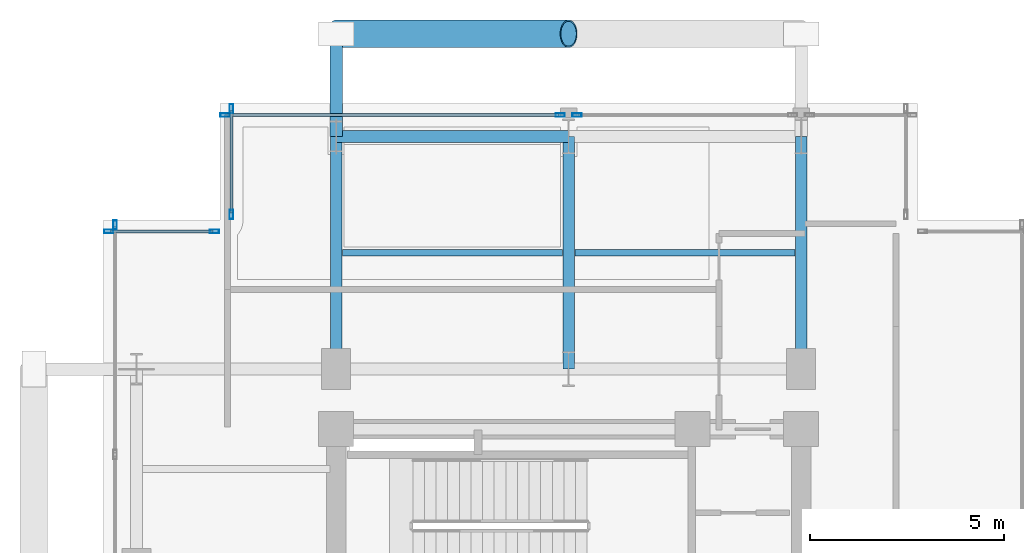
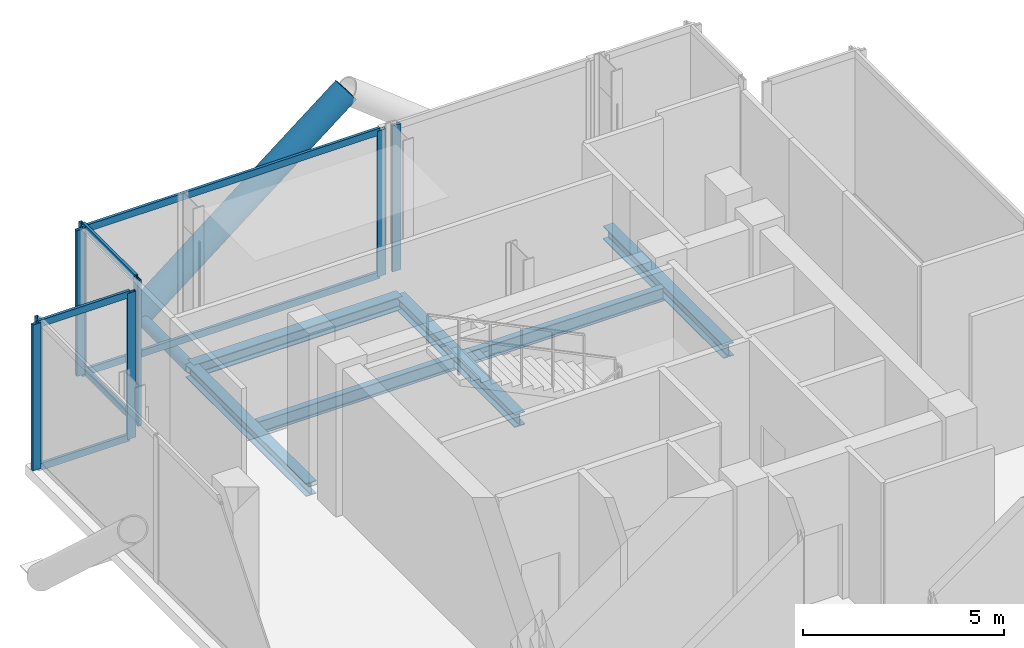
# One storey, part 11 of 19: 16 members, 6 beams, 5 elements without a shape of their own.
"""IFC4 building model written with IfcOpenShell, lengths in metres."""

import ifcopenshell
import ifcopenshell.guid

model = None  # the IFC model being written
_history = None  # IfcOwnerHistory: only IFC2X3 demands one
_inside = {}  # id of a spatial element -> (the spatial element, [elements in it])
_under = {}  # id of a project, library or spatial element -> (it, [spatial elements below it])
_declared = {}  # id of a project -> (the project, [libraries it declares])
_typed = {}  # id of a type object -> (the type object, [elements of that type])
_made_of = {}  # id of a material, layer set ... -> (it, [elements and type objects made of it])


def new_model(schema):
    """Start an empty IFC model of exactly this schema.

    Asked for "IFC4X3", IfcOpenShell would pick the latest addendum, in which some entities
    have other attributes; the version numbers below select the first issue.
    IFC2X3 requires an IfcOwnerHistory on every rooted entity: one is made here for all.
    """
    global model, _history
    if schema == "IFC4X3":
        model = ifcopenshell.file(schema_version=(4, 3, 0, 0))
    else:
        model = ifcopenshell.file(schema=schema)
    _inside.clear()
    _under.clear()
    _declared.clear()
    _typed.clear()
    _made_of.clear()
    _history = None
    if model.schema == "IFC2X3":
        org = make("IfcOrganization", Name="unknown")
        user = make(
            "IfcPersonAndOrganization",
            ThePerson=make("IfcPerson", FamilyName="unknown"),
            TheOrganization=org,
        )
        app = make(
            "IfcApplication",
            ApplicationDeveloper=org,
            Version="unknown",
            ApplicationFullName="unknown",
            ApplicationIdentifier="unknown",
        )
        _history = make(
            "IfcOwnerHistory",
            OwningUser=user,
            OwningApplication=app,
            ChangeAction="ADDED",
            CreationDate=0,
        )
    return model


def make(cls, **values):
    """One entity of the class cls with the attributes given. An attribute that is None is left unset."""
    return model.create_entity(
        cls, **{name: value for name, value in values.items() if value is not None}
    )


def rooted(cls, **values):
    """An entity with a GlobalId (a new one), such as an element, a storey or a relation."""
    return make(cls, GlobalId=ifcopenshell.guid.new(), OwnerHistory=_history, **values)


def si_unit(unit_type, name, prefix=None):
    """IfcSIUnit, for example si_unit("LENGTHUNIT", "METRE", prefix="MILLI")."""
    return make("IfcSIUnit", UnitType=unit_type, Prefix=prefix, Name=name)


def assignment(units):
    """IfcUnitAssignment: the units of a project."""
    return None if units is None else make("IfcUnitAssignment", Units=units)


def point(xyz):
    """IfcCartesianPoint."""
    return None if xyz is None else make("IfcCartesianPoint", Coordinates=xyz)


def direction(xyz):
    """IfcDirection."""
    return None if xyz is None else make("IfcDirection", DirectionRatios=xyz)


def frame(location, z_axis=None, x_axis=None):
    """IfcAxis2Placement3D, a coordinate frame: its origin and axes. An axis left out is left unset."""
    return make(
        "IfcAxis2Placement3D",
        Location=point(location),
        Axis=direction(z_axis),
        RefDirection=direction(x_axis),
    )


def frame_2d(location, x_axis=None):
    """IfcAxis2Placement2D, a coordinate frame in the plane: its origin and x axis."""
    return make(
        "IfcAxis2Placement2D", Location=point(location), RefDirection=direction(x_axis)
    )


def origin():
    """The frame at (0, 0, 0) with its axes left unset."""
    return frame((0.0, 0.0, 0.0))


def origin_2d():
    """The frame at (0, 0) in the plane with its x axis left unset."""
    return frame_2d((0.0, 0.0))


def place(relative_to, where):
    """IfcLocalPlacement: puts the frame where relative to a parent placement (None: the world)."""
    return make(
        "IfcLocalPlacement", PlacementRelTo=relative_to, RelativePlacement=where
    )


def context(
    kind, dimensions, precision=None, world=None, true_north=None, identifier=None
):
    """IfcGeometricRepresentationContext, for example the 3D "Model" context."""
    return make(
        "IfcGeometricRepresentationContext",
        ContextIdentifier=identifier,
        ContextType=kind,
        CoordinateSpaceDimension=dimensions,
        Precision=precision,
        WorldCoordinateSystem=world,
        TrueNorth=true_north,
    )


def subcontext(parent, identifier, kind, view, scale=None):
    """IfcGeometricRepresentationSubContext, for example "Body" below "Model"."""
    return make(
        "IfcGeometricRepresentationSubContext",
        ContextIdentifier=identifier,
        ContextType=kind,
        ParentContext=parent,
        TargetScale=scale,
        TargetView=view,
    )


def project(units=None, contexts=None):
    """IfcProject with its units and contexts."""
    return rooted(
        "IfcProject",
        Name="project",
        RepresentationContexts=contexts,
        UnitsInContext=assignment(units),
    )


def spatial(cls, under=None, at=None, **own):
    """A site, building, storey or space (cls), placed at a placement, below another one or the project."""
    s = rooted(cls, ObjectPlacement=at, **own)
    if under is not None:
        _under.setdefault(under.id(), (under, []))[1].append(s)
    return s


def profile(cls, at=None, kind="AREA", **sizes):
    """A parametric profile (cls). Its sizes go by their IFC names, for example OverallWidth=200.0."""
    return make(cls, ProfileType=kind, Position=at, **sizes)


def hollow_rectangle(**sizes):
    """IfcRectangleHollowProfileDef."""
    return profile("IfcRectangleHollowProfileDef", **sizes)


def hollow_circle(**sizes):
    """IfcCircleHollowProfileDef."""
    return profile("IfcCircleHollowProfileDef", **sizes)


def i_section(**sizes):
    """IfcIShapeProfileDef."""
    return profile("IfcIShapeProfileDef", **sizes)


def extrude(swept, where, along, depth):
    """IfcExtrudedAreaSolid: the profile swept, set in the frame where, extruded along a direction by depth."""
    return make(
        "IfcExtrudedAreaSolid",
        SweptArea=swept,
        Position=where,
        ExtrudedDirection=direction(along),
        Depth=depth,
    )


def shape(context_of_items, identifier, shape_type, items):
    """IfcShapeRepresentation: the items that make up one representation, for example the "Body"."""
    return make(
        "IfcShapeRepresentation",
        ContextOfItems=context_of_items,
        RepresentationIdentifier=identifier,
        RepresentationType=shape_type,
        Items=items,
    )


def material(Name=None, Category=None):
    """IfcMaterial."""
    return make("IfcMaterial", Name=Name, Category=Category)


def layer(
    of_material, thickness, ventilated=None, Name=None, Category=None, Priority=None
):
    """IfcMaterialLayer: one layer of a wall or slab, of a material (None: an air gap)."""
    return make(
        "IfcMaterialLayer",
        Material=of_material,
        LayerThickness=thickness,
        IsVentilated=ventilated,
        Name=Name,
        Category=Category,
        Priority=Priority,
    )


def layer_set(layers, Name=None):
    """IfcMaterialLayerSet."""
    return make("IfcMaterialLayerSet", MaterialLayers=layers, LayerSetName=Name)


def material_profile(
    of_material, cross_section, Name=None, Category=None, Priority=None
):
    """IfcMaterialProfile: a cross section and its material."""
    return make(
        "IfcMaterialProfile",
        Name=Name,
        Material=of_material,
        Profile=cross_section,
        Priority=Priority,
        Category=Category,
    )


def profile_set(profiles, Name=None, composite=None):
    """IfcMaterialProfileSet."""
    return make(
        "IfcMaterialProfileSet",
        Name=Name,
        MaterialProfiles=profiles,
        CompositeProfile=composite,
    )


def made_of(thing, what):
    """Note that an element or type object is made of a material, layer set ...; save() writes the relation."""
    if what is not None:
        _made_of.setdefault(what.id(), (what, []))[1].append(thing)
    return thing


def type_object(cls, material=None, **own):
    """A type object (cls), such as IfcWallType, which elements share."""
    return made_of(rooted(cls, **own), material)


def element(
    cls,
    number,
    at=None,
    inside=None,
    cuts=None,
    type_object=None,
    material=None,
    context=None,
    identifier="Body",
    shape_type=None,
    held_by="IfcProductDefinitionShape",
    body=None,
    shapes=None,
    **own,
):
    """One element of the class cls, such as IfcWall. Its Tag is "e" and its number.

    at: its placement. inside: the storey or other place that contains it. cuts: it is an
    opening in that element (IfcRelVoidsElement). A single representation is given by context,
    identifier, shape_type and body (its items); several are given by shapes. held_by: the class
    of the entity that holds the representations. save() writes the other relations.
    """
    e = rooted(cls, Tag="e%d" % number, ObjectPlacement=at, **own)
    if body is not None:
        shapes = [shape(context, identifier, shape_type, body)]
    if shapes is not None:
        e.Representation = make(held_by, Representations=shapes)
    if inside is not None:
        _inside.setdefault(inside.id(), (inside, []))[1].append(e)
    if cuts is not None:
        rooted(
            "IfcRelVoidsElement", RelatingBuildingElement=cuts, RelatedOpeningElement=e
        )
    if type_object is not None:
        _typed.setdefault(type_object.id(), (type_object, []))[1].append(e)
    return made_of(e, material)


def aggregate(whole, parts):
    """IfcRelAggregates: a whole, such as a stair, and the parts it consists of."""
    return rooted("IfcRelAggregates", RelatingObject=whole, RelatedObjects=parts)


def save(model, path):
    """Write the relations noted so far, then the file.

    IfcRelAggregates (storeys below a building ...), IfcRelContainedInSpatialStructure (elements
    in a storey), IfcRelDefinesByType, IfcRelAssociatesMaterial and IfcRelDeclares: one each for
    every whole, place, type object, material and project.
    """
    for whole, parts in _under.values():
        aggregate(whole, parts)
    for where, things in _inside.values():
        rooted(
            "IfcRelContainedInSpatialStructure",
            RelatedElements=things,
            RelatingStructure=where,
        )
    for kind, things in _typed.values():
        rooted("IfcRelDefinesByType", RelatedObjects=things, RelatingType=kind)
    for what, things in _made_of.values():
        rooted("IfcRelAssociatesMaterial", RelatedObjects=things, RelatingMaterial=what)
    for by, libraries in _declared.values():
        rooted("IfcRelDeclares", RelatingContext=by, RelatedDefinitions=libraries)
    model.write(path)


model = new_model("IFC4")

# Units and contexts
model_context = context("Model", 3, precision=1e-05, world=origin(), true_north=direction((0.0, 1.0)))
body_context = subcontext(model_context, "Body", "Model", "MODEL_VIEW")
ifc_project = project(units=[si_unit("LENGTHUNIT", "METRE"), si_unit("AREAUNIT", "SQUARE_METRE"), si_unit("VOLUMEUNIT", "CUBIC_METRE"), si_unit("PLANEANGLEUNIT", "RADIAN"), si_unit("MASSUNIT", "GRAM", prefix="KILO"), si_unit("THERMODYNAMICTEMPERATUREUNIT", "KELVIN"), si_unit("POWERUNIT", "WATT")], contexts=[model_context])

# Site, building, storey
site_placement = place(None, origin())
site = spatial("IfcSite", under=ifc_project, at=site_placement, CompositionType="ELEMENT")
building_placement = place(site_placement, origin())
building = spatial("IfcBuilding", under=site, at=building_placement, Name="Svarakhadi Broadcast Tower", CompositionType="ELEMENT")
storey_placement = place(building_placement, frame((0.0, 0.0, 204.0)))
storey = spatial("IfcBuildingStorey", under=building, at=storey_placement, Name="L50", CompositionType="ELEMENT", Elevation=204.0)

# Beams
ifc_material_1 = material(Name="Steel S355J2 (IS 2062 E350C)", Category="steel")
ifc_material_profile_1 = material_profile(ifc_material_1, i_section(OverallWidth=0.179931640625, OverallDepth=0.39990234375, WebThickness=0.008544921875, FlangeThickness=0.013427734375, FilletRadius=0.02099609375, at=origin_2d()), Name="NPB 400x180x66")
ifc_profile_set_1 = profile_set([ifc_material_profile_1], Name="Steel S355J2 (IS 2062 E350C)")
beam_type_1 = type_object("IfcBeamType", Name="Beam_NPB400", PredefinedType="BEAM", material=ifc_profile_set_1)
for number, where, z_axis, x_axis, name in (
    (1, (6.159912109375, 32.14990234375, -0.5), (1.0, 0.0, 0.0), (0.0, 1.0, 0.0), "L50 Secondary Composite Beam SB008"),
    (2, (12.159912109375, 32.14990234375, -0.5), (1.0, 0.0, 0.0), (0.0, 1.0, 0.0), "L50 Secondary Composite Beam SB012"),
):
    element("IfcBeam", number, at=place(storey_placement, frame(where, z_axis=z_axis, x_axis=x_axis)), inside=storey, type_object=beam_type_1, Name=name, PredefinedType="BEAM", context=body_context, shape_type="SweptSolid", body=[
        extrude(i_section(OverallWidth=0.179931640625, OverallDepth=0.39990234375, WebThickness=0.008544921875, FlangeThickness=0.013427734375, FilletRadius=0.02099609375, at=origin_2d()), origin(), (0.0, 0.0, 1.0), 5.68017578125),
    ])

# Curtain wall, member
ifc_material_2 = material(Name="Anodised Bronze Aluminium AA 6063-T6", Category="aluminium")
ifc_layer = layer(ifc_material_2, 0.239990234375)
ifc_layer_set = layer_set([ifc_layer], Name="Anodised Bronze Aluminium AA 6063-T6")
curtain_wall_type = type_object("IfcCurtainWallType", Name="CW_Sys_06", PredefinedType="NOTDEFINED", material=ifc_layer_set)
curtain_wall_1_placement = place(storey_placement, origin())
curtain_wall_1 = element("IfcCurtainWall", 3, at=curtain_wall_1_placement, inside=storey, type_object=curtain_wall_type, Name="L50 Unitised Facade Curtain Wall 02", PredefinedType="NOTDEFINED")
ifc_material_profile_2 = material_profile(ifc_material_2, hollow_rectangle(XDim=0.090087890625, YDim=0.239990234375, WallThickness=0.006103515625, at=origin_2d()), Name="ALU MULLION 240x90x6")
ifc_profile_set_2 = profile_set([ifc_material_profile_2], Name="Anodised Bronze Aluminium AA 6063-T6")
member_type_1 = type_object("IfcMemberType", Name="CW_Sys_06_Mul", PredefinedType="MULLION", material=ifc_profile_set_2)
member_1_placement = place(storey_placement, frame((0.300048828125, 32.864990234375, 0.0), z_axis=(0.0, 0.0, 1.0), x_axis=(-1.0, 0.0, 0.0)))
member_1 = element("IfcMember", 4, at=member_1_placement, type_object=member_type_1, Name="CW-06 mullion 6", PredefinedType="MULLION", context=body_context, shape_type="SweptSolid", body=[
    extrude(hollow_rectangle(XDim=0.090087890625, YDim=0.239990234375, WallThickness=0.006103515625, at=origin_2d()), origin(), (0.0, 0.0, 1.0), 4.43994140625),
])
aggregate(curtain_wall_1, [member_1])

# Curtain wall, members
curtain_wall_2_placement = place(storey_placement, origin())
curtain_wall_2 = element("IfcCurtainWall", 5, at=curtain_wall_2_placement, inside=storey, type_object=curtain_wall_type, Name="L50 Unitised Facade Curtain Wall 03", PredefinedType="NOTDEFINED")
member_2_placement = place(storey_placement, frame((0.135009765625, 32.699951171875, 0.0), z_axis=(0.0, 0.0, 1.0), x_axis=(0.0, 1.0, 0.0)))
member_2 = element("IfcMember", 6, at=member_2_placement, type_object=member_type_1, Name="CW-06 mullion 1", PredefinedType="MULLION", context=body_context, shape_type="SweptSolid", body=[
    extrude(hollow_rectangle(XDim=0.090087890625, YDim=0.239990234375, WallThickness=0.006103515625, at=origin_2d()), origin(), (0.0, 0.0, 1.0), 4.43994140625),
])
member_3_placement = place(storey_placement, frame((2.864990234375, 32.699951171875, 0.0), z_axis=(0.0, 0.0, 1.0), x_axis=(0.0, 1.0, 0.0)))
member_3 = element("IfcMember", 7, at=member_3_placement, type_object=member_type_1, Name="CW-06 mullion 2", PredefinedType="MULLION", context=body_context, shape_type="SweptSolid", body=[
    extrude(hollow_rectangle(XDim=0.090087890625, YDim=0.239990234375, WallThickness=0.006103515625, at=origin_2d()), origin(), (0.0, 0.0, 1.0), 4.43994140625),
])

curtain_wall_3_placement = place(storey_placement, origin())
curtain_wall_3 = element("IfcCurtainWall", 8, at=curtain_wall_3_placement, inside=storey, type_object=curtain_wall_type, Name="L50 Unitised Facade Curtain Wall 04", PredefinedType="NOTDEFINED")
member_4_placement = place(storey_placement, frame((3.300048828125, 33.135009765625, 0.0), z_axis=(0.0, 0.0, 1.0), x_axis=(-1.0, 0.0, 0.0)))
member_4 = element("IfcMember", 9, at=member_4_placement, type_object=member_type_1, Name="CW-06 mullion 1", PredefinedType="MULLION", context=body_context, shape_type="SweptSolid", body=[
    extrude(hollow_rectangle(XDim=0.090087890625, YDim=0.239990234375, WallThickness=0.006103515625, at=origin_2d()), origin(), (0.0, 0.0, 1.0), 4.43994140625),
])
member_5_placement = place(storey_placement, frame((3.300048828125, 35.864990234375, 0.0), z_axis=(0.0, 0.0, 1.0), x_axis=(-1.0, 0.0, 0.0)))
member_5 = element("IfcMember", 10, at=member_5_placement, type_object=member_type_1, Name="CW-06 mullion 2", PredefinedType="MULLION", context=body_context, shape_type="SweptSolid", body=[
    extrude(hollow_rectangle(XDim=0.090087890625, YDim=0.239990234375, WallThickness=0.006103515625, at=origin_2d()), origin(), (0.0, 0.0, 1.0), 4.43994140625),
])

curtain_wall_4_placement = place(storey_placement, origin())
curtain_wall_4 = element("IfcCurtainWall", 11, at=curtain_wall_4_placement, inside=storey, type_object=curtain_wall_type, Name="L50 Unitised Facade Curtain Wall 05 Bay 1", PredefinedType="NOTDEFINED")
member_6_placement = place(storey_placement, frame((3.135009765625, 35.699951171875, 0.0), z_axis=(0.0, 0.0, 1.0), x_axis=(0.0, 1.0, 0.0)))
member_6 = element("IfcMember", 12, at=member_6_placement, type_object=member_type_1, Name="CW-06 mullion 1", PredefinedType="MULLION", context=body_context, shape_type="SweptSolid", body=[
    extrude(hollow_rectangle(XDim=0.090087890625, YDim=0.239990234375, WallThickness=0.006103515625, at=origin_2d()), origin(), (0.0, 0.0, 1.0), 4.43994140625),
])
member_7_placement = place(storey_placement, frame((11.784912109375, 35.699951171875, 0.0), z_axis=(0.0, 0.0, 1.0), x_axis=(0.0, 1.0, 0.0)))
member_7 = element("IfcMember", 13, at=member_7_placement, type_object=member_type_1, Name="CW-06 mullion 2", PredefinedType="MULLION", context=body_context, shape_type="SweptSolid", body=[
    extrude(hollow_rectangle(XDim=0.090087890625, YDim=0.239990234375, WallThickness=0.006103515625, at=origin_2d()), origin(), (0.0, 0.0, 1.0), 4.43994140625),
])

# Curtain wall, member
curtain_wall_5_placement = place(storey_placement, origin())
curtain_wall_5 = element("IfcCurtainWall", 14, at=curtain_wall_5_placement, inside=storey, type_object=curtain_wall_type, Name="L50 Unitised Facade Curtain Wall 05 Bay 2", PredefinedType="NOTDEFINED")
member_8_placement = place(storey_placement, frame((12.215087890625, 35.699951171875, 0.0), z_axis=(0.0, 0.0, 1.0), x_axis=(0.0, 1.0, 0.0)))
member_8 = element("IfcMember", 15, at=member_8_placement, type_object=member_type_1, Name="CW-06 mullion 1", PredefinedType="MULLION", context=body_context, shape_type="SweptSolid", body=[
    extrude(hollow_rectangle(XDim=0.090087890625, YDim=0.239990234375, WallThickness=0.006103515625, at=origin_2d()), origin(), (0.0, 0.0, 1.0), 4.43994140625),
])
aggregate(curtain_wall_5, [member_8])

# Member
ifc_material_profile_3 = material_profile(ifc_material_2, hollow_rectangle(XDim=0.080078125, YDim=0.2099609375, WallThickness=0.0048828125, at=origin_2d()), Name="ALU TRANSOM 210x80x5")
ifc_profile_set_3 = profile_set([ifc_material_profile_3], Name="Anodised Bronze Aluminium AA 6063-T6")
member_type_2 = type_object("IfcMemberType", Name="CW_Sys_06_Trn", PredefinedType="USERDEFINED", material=ifc_profile_set_3)
member_9_placement = place(storey_placement, frame((0.179931640625, 32.699951171875, 0.0400390625), z_axis=(1.0, 0.0, 0.0), x_axis=(0.0, 1.0, 0.0)))
member_9 = element("IfcMember", 16, at=member_9_placement, type_object=member_type_2, Name="CW-06 transom 1.1", ObjectType="TRANSOM", PredefinedType="USERDEFINED", context=body_context, shape_type="SweptSolid", body=[
    extrude(hollow_rectangle(XDim=0.080078125, YDim=0.2099609375, WallThickness=0.0048828125, at=origin_2d()), origin(), (0.0, 0.0, 1.0), 2.64013671875),
])

member_10_placement = place(storey_placement, frame((0.179931640625, 32.699951171875, 4.39990234375), z_axis=(1.0, 0.0, 0.0), x_axis=(0.0, 1.0, 0.0)))
member_10 = element("IfcMember", 17, at=member_10_placement, type_object=member_type_2, Name="CW-06 transom 1.2", ObjectType="TRANSOM", PredefinedType="USERDEFINED", context=body_context, shape_type="SweptSolid", body=[
    extrude(hollow_rectangle(XDim=0.080078125, YDim=0.2099609375, WallThickness=0.0048828125, at=origin_2d()), origin(), (0.0, 0.0, 1.0), 2.64013671875),
])

aggregate(curtain_wall_2, [member_2, member_3, member_9, member_10])

member_11_placement = place(storey_placement, frame((3.300048828125, 33.179931640625, 0.0400390625), z_axis=(0.0, 1.0, 0.0), x_axis=(-1.0, 0.0, 0.0)))
member_11 = element("IfcMember", 18, at=member_11_placement, type_object=member_type_2, Name="CW-06 transom 1.1", ObjectType="TRANSOM", PredefinedType="USERDEFINED", context=body_context, shape_type="SweptSolid", body=[
    extrude(hollow_rectangle(XDim=0.080078125, YDim=0.2099609375, WallThickness=0.0048828125, at=origin_2d()), origin(), (0.0, 0.0, 1.0), 2.64013671875),
])

member_12_placement = place(storey_placement, frame((3.300048828125, 33.179931640625, 4.39990234375), z_axis=(0.0, 1.0, 0.0), x_axis=(-1.0, 0.0, 0.0)))
member_12 = element("IfcMember", 19, at=member_12_placement, type_object=member_type_2, Name="CW-06 transom 1.2", ObjectType="TRANSOM", PredefinedType="USERDEFINED", context=body_context, shape_type="SweptSolid", body=[
    extrude(hollow_rectangle(XDim=0.080078125, YDim=0.2099609375, WallThickness=0.0048828125, at=origin_2d()), origin(), (0.0, 0.0, 1.0), 2.64013671875),
])

aggregate(curtain_wall_3, [member_4, member_5, member_11, member_12])

member_13_placement = place(storey_placement, frame((3.179931640625, 35.699951171875, 0.0400390625), z_axis=(1.0, 0.0, 0.0), x_axis=(0.0, 1.0, 0.0)))
member_13 = element("IfcMember", 20, at=member_13_placement, type_object=member_type_2, Name="CW-06 transom 1.1", ObjectType="TRANSOM", PredefinedType="USERDEFINED", context=body_context, shape_type="SweptSolid", body=[
    extrude(hollow_rectangle(XDim=0.080078125, YDim=0.2099609375, WallThickness=0.0048828125, at=origin_2d()), origin(), (0.0, 0.0, 1.0), 8.56005859375),
])

member_14_placement = place(storey_placement, frame((3.179931640625, 35.699951171875, 4.39990234375), z_axis=(1.0, 0.0, 0.0), x_axis=(0.0, 1.0, 0.0)))
member_14 = element("IfcMember", 21, at=member_14_placement, type_object=member_type_2, Name="CW-06 transom 1.2", ObjectType="TRANSOM", PredefinedType="USERDEFINED", context=body_context, shape_type="SweptSolid", body=[
    extrude(hollow_rectangle(XDim=0.080078125, YDim=0.2099609375, WallThickness=0.0048828125, at=origin_2d()), origin(), (0.0, 0.0, 1.0), 8.56005859375),
])

aggregate(curtain_wall_4, [member_6, member_7, member_13, member_14])

# Members
ifc_material_3 = material(Name="Steel S460ML (IS 2062 E450BR)", Category="steel")
ifc_material_profile_4 = material_profile(ifc_material_3, hollow_circle(Radius=0.35546875, WallThickness=0.034912109375, at=origin_2d()), Name="CHS 711x35")
ifc_profile_set_4 = profile_set([ifc_material_profile_4], Name="Steel S460ML (IS 2062 E450BR)")
member_type_3 = type_object("IfcMemberType", Name="Exo_Brace_CHS711", PredefinedType="BRACE", material=ifc_profile_set_4)
member_15_placement = place(storey_placement, frame((6.0, 37.800048828125, -0.4619140625), z_axis=(0.784682488402, 0.0, 0.619897888685), x_axis=(0.0, 1.0, 0.0)))
element("IfcMember", 22, at=member_15_placement, inside=storey, type_object=member_type_3, Name="L50 Exposed Bronze Exoskeleton Diagonal N10", PredefinedType="BRACE", context=body_context, shape_type="SweptSolid", body=[
    extrude(hollow_circle(Radius=0.35546875, WallThickness=0.034912109375, at=origin_2d()), origin(), (0.0, 0.0, 1.0), 7.646484375),
])
ifc_material_profile_5 = material_profile(ifc_material_3, hollow_circle(Radius=0.161865234375, WallThickness=0.01611328125, at=origin_2d()), Name="CHS 323.9x16")
ifc_profile_set_5 = profile_set([ifc_material_profile_5], Name="Steel S460ML (IS 2062 E450BR)")
member_type_4 = type_object("IfcMemberType", Name="Exo_Radial_Strut_Z2", PredefinedType="STRUT", material=ifc_profile_set_5)
member_16_placement = place(storey_placement, frame((6.0, 37.800048828125, -0.4619140625), z_axis=(0.0, -1.0, 0.0), x_axis=(1.0, 0.0, 0.0)))
element("IfcMember", 23, at=member_16_placement, inside=storey, type_object=member_type_4, Name="L50 Exoskeleton Radial Tie Strut N07", PredefinedType="STRUT", context=body_context, shape_type="SweptSolid", body=[
    extrude(hollow_circle(Radius=0.161865234375, WallThickness=0.01611328125, at=origin_2d()), origin(), (0.0, 0.0, 1.0), 2.650146484375),
])

# Beams
ifc_material_profile_6 = material_profile(ifc_material_1, i_section(OverallWidth=0.300048828125, OverallDepth=0.39990234375, WebThickness=0.013427734375, FlangeThickness=0.02392578125, FilletRadius=0.027099609375, at=origin_2d()), Name="WPB 400x300x155")
ifc_profile_set_6 = profile_set([ifc_material_profile_6], Name="Steel S355J2 (IS 2062 E350C)")
beam_type_2 = type_object("IfcBeamType", Name="Girder_WPB400", PredefinedType="USERDEFINED", material=ifc_profile_set_6)
for number, where, z_axis, x_axis, name in (
    (24, (6.0, 35.14990234375, -0.5), (1.0, 0.0, 0.0), (0.0, 1.0, 0.0), "L50 Primary E-W Girder G031"),
    (25, (6.0, 29.14990234375, -0.5), (0.0, 1.0, 0.0), (-1.0, 0.0, 0.0), "L50 Primary N-S Girder G041"),
    (26, (12.0, 29.14990234375, -0.5), (0.0, 1.0, 0.0), (-1.0, 0.0, 0.0), "L50 Primary N-S Girder G045"),
    (27, (18.0, 29.14990234375, -0.5), (0.0, 1.0, 0.0), (-1.0, 0.0, 0.0), "L50 Primary N-S Girder G050"),
):
    element("IfcBeam", number, at=place(storey_placement, frame(where, z_axis=z_axis, x_axis=x_axis)), inside=storey, type_object=beam_type_2, Name=name, ObjectType="GIRDER", PredefinedType="USERDEFINED", context=body_context, shape_type="SweptSolid", body=[
        extrude(i_section(OverallWidth=0.300048828125, OverallDepth=0.39990234375, WebThickness=0.013427734375, FlangeThickness=0.02392578125, FilletRadius=0.027099609375, at=origin_2d()), origin(), (0.0, 0.0, 1.0), 6.0),
    ])

save(model, "model.ifc")
